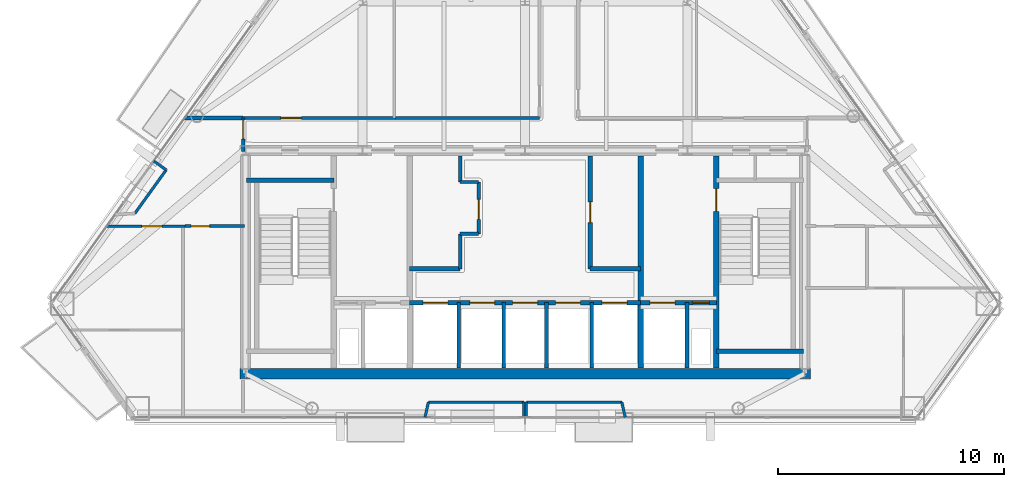
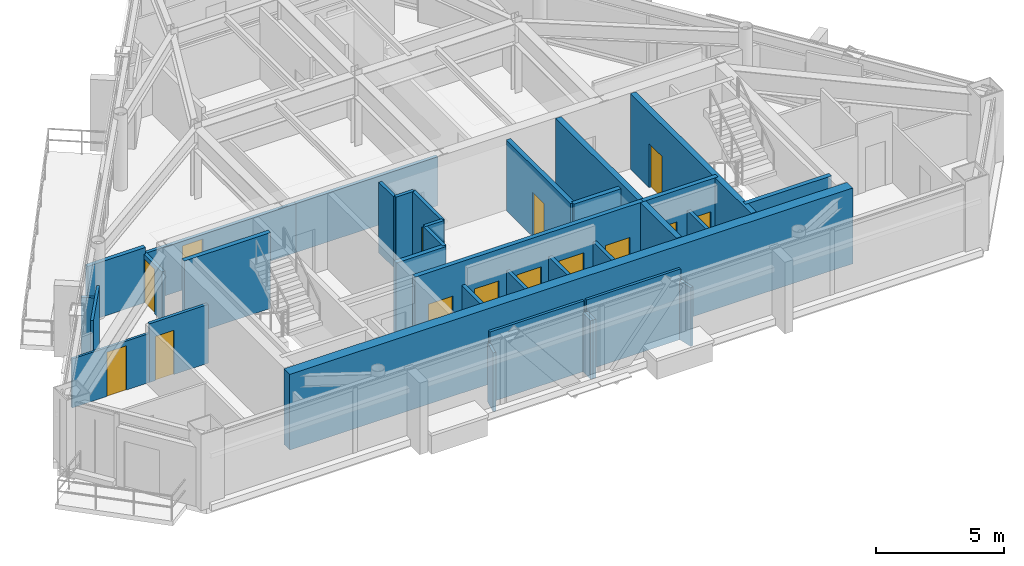
# One storey, part 8 of 12: 34 walls, 14 doors, 14 openings.
"""IFC4 building model written with IfcOpenShell, lengths in metres."""

from ifc_helpers import new_model, si_unit, direction, frame, frame_2d, origin, place, context, subcontext, project, spatial, rectangle, extrude, material, layer, layer_set, type_object, element, fill, save


model = new_model("IFC4")

# Units and contexts
model_context = context("Model", 3, precision=1e-05, world=origin(), true_north=direction((0.0, 1.0)))
body_context = subcontext(model_context, "Body", "Model", "MODEL_VIEW")
ifc_project = project(units=[si_unit("LENGTHUNIT", "METRE"), si_unit("AREAUNIT", "SQUARE_METRE"), si_unit("VOLUMEUNIT", "CUBIC_METRE"), si_unit("PLANEANGLEUNIT", "RADIAN"), si_unit("MASSUNIT", "GRAM", prefix="KILO")], contexts=[model_context])

# Site, building, storey
site_placement = place(None, origin())
site = spatial("IfcSite", under=ifc_project, at=site_placement, CompositionType="ELEMENT")
building_placement = place(site_placement, origin())
building = spatial("IfcBuilding", under=site, at=building_placement, Name="Talgorran Terracotta Tower", CompositionType="ELEMENT")
storey_placement = place(building_placement, frame((0.0, 0.0, 189.300048828125)))
storey = spatial("IfcBuildingStorey", under=building, at=storey_placement, Name="L49", CompositionType="ELEMENT", Elevation=189.300048828125)

# Walls
ifc_material_1 = material(Name="Concrete C50/60", Category="concrete")
ifc_layer_1 = layer(ifc_material_1, 0.199951171875, Name="WT_CORE_200")
ifc_layer_set_1 = layer_set([ifc_layer_1], Name="Concrete C50/60")
wall_type_1 = type_object("IfcWallType", Name="WT_CORE_200", PredefinedType="SOLIDWALL", material=ifc_layer_set_1)
for number, where, z_axis, x_axis, name in (
    (1, (-12.35009765625, -5.52001953125, 0.0), (0.0, 0.0, 1.0), (1.0, 0.0, 0.0), "WL-L49-CW-ST1-N"),
    (2, (8.47998046875, -13.10009765625, 0.0), (0.0, 0.0, 1.0), (1.0, 0.0, 0.0), "WL-L49-CW-ST2-S"),
):
    element("IfcWall", number, at=place(storey_placement, frame(where, z_axis=z_axis, x_axis=x_axis)), inside=storey, type_object=wall_type_1, Name=name, PredefinedType="SOLIDWALL", context=body_context, shape_type="SweptSolid", body=[
        extrude(rectangle(XDim=3.8701171875, YDim=0.199951171875, at=frame_2d((1.93505859375, 0.0))), origin(), (0.0, 0.0, 1.0), 3.599853515625),
    ])

# Wall, openings, doors
wall_1_placement = place(storey_placement, frame((-5.1201171875, -10.949951171875, 0.0), z_axis=(0.0, 0.0, 1.0), x_axis=(1.0, 0.0, 0.0)))
wall_1 = element("IfcWall", 3, at=wall_1_placement, inside=storey, type_object=wall_type_1, Name="WL-L49-CW-H-SBC", PredefinedType="SOLIDWALL", context=body_context, shape_type="SweptSolid", body=[
    extrude(rectangle(XDim=10.240234375, YDim=0.199951171875, at=frame_2d((5.1201171875, 0.0))), origin(), (0.0, 0.0, 1.0), 3.599853515625),
])
opening_1_placement = place(wall_1_placement, frame((0.60009765625, 0.0, 0.0)))
opening_1 = element("IfcOpeningElement", 4, at=opening_1_placement, cuts=wall_1, Name="Opening LD-OB1", PredefinedType="OPENING", context=body_context, shape_type="SweptSolid", body=[
    extrude(rectangle(XDim=1.10609765625, YDim=2.10409765625, at=frame_2d((0.550048828125, 1.052001953125))), frame((0.0, 0.10986328125, 0.0), z_axis=(0.0, -1.0, 0.0), x_axis=(1.0, 0.0, 0.0)), (0.0, 0.0, 1.0), 0.219970703125),
])
opening_2_placement = place(wall_1_placement, frame((2.669921875, 0.0, 0.0)))
opening_2 = element("IfcOpeningElement", 5, at=opening_2_placement, cuts=wall_1, Name="Opening LD-PLH1", PredefinedType="OPENING", context=body_context, shape_type="SweptSolid", body=[
    extrude(rectangle(XDim=1.10609765625, YDim=2.10409765625, at=frame_2d((0.550048828125, 1.052001953125))), frame((0.0, 0.10986328125, 0.0), z_axis=(0.0, -1.0, 0.0), x_axis=(1.0, 0.0, 0.0)), (0.0, 0.0, 1.0), 0.219970703125),
])
opening_3_placement = place(wall_1_placement, frame((4.570068359375, 0.0, 0.0)))
opening_3 = element("IfcOpeningElement", 6, at=opening_3_placement, cuts=wall_1, Name="Opening LD-PLH2", PredefinedType="OPENING", context=body_context, shape_type="SweptSolid", body=[
    extrude(rectangle(XDim=1.10609765625, YDim=2.10409765625, at=frame_2d((0.550048828125, 1.052001953125))), frame((0.0, 0.10986328125, 0.0), z_axis=(0.0, -1.0, 0.0), x_axis=(1.0, 0.0, 0.0)), (0.0, 0.0, 1.0), 0.219970703125),
])
opening_4_placement = place(wall_1_placement, frame((6.469970703125, 0.0, 0.0)))
opening_4 = element("IfcOpeningElement", 7, at=opening_4_placement, cuts=wall_1, Name="Opening LD-PLH3", PredefinedType="OPENING", context=body_context, shape_type="SweptSolid", body=[
    extrude(rectangle(XDim=1.10609765625, YDim=2.10409765625, at=frame_2d((0.550048828125, 1.052001953125))), frame((0.0, 0.10986328125, 0.0), z_axis=(0.0, -1.0, 0.0), x_axis=(1.0, 0.0, 0.0)), (0.0, 0.0, 1.0), 0.219970703125),
])
opening_5_placement = place(wall_1_placement, frame((8.5400390625, 0.0, 0.0)))
opening_5 = element("IfcOpeningElement", 8, at=opening_5_placement, cuts=wall_1, Name="Opening LD-SVL1", PredefinedType="OPENING", context=body_context, shape_type="SweptSolid", body=[
    extrude(rectangle(XDim=1.10609765625, YDim=2.10409765625, at=frame_2d((0.550048828125, 1.052001953125))), frame((0.0, 0.10986328125, 0.0), z_axis=(0.0, -1.0, 0.0), x_axis=(1.0, 0.0, 0.0)), (0.0, 0.0, 1.0), 0.219970703125),
])
ifc_material_2 = material(Name="Brushed Stainless Steel Grade 304", Category="steel")
door_type_1 = type_object("IfcDoorType", Name="DT_LIFT_LD1100", OperationType="DOUBLE_DOOR_SLIDING", PredefinedType="DOOR", material=ifc_material_2)
door_1_placement = place(opening_1_placement, origin())
door_1 = element("IfcDoor", 9, at=door_1_placement, inside=storey, type_object=door_type_1, Name="L49 Lift Landing Door LD-OB1", OperationType="DOUBLE_DOOR_SLIDING", OverallHeight=2.10009765625, OverallWidth=1.10009765625, PredefinedType="DOOR", context=body_context, shape_type="SweptSolid", body=[
    extrude(rectangle(XDim=1.10009765625, YDim=2.10009765625, at=frame_2d((0.550048828125, 1.050048828125))), frame((0.0, 0.02490234375, 0.0), z_axis=(0.0, -1.0, 0.0), x_axis=(1.0, 0.0, 0.0)), (0.0, 0.0, 1.0), 0.050048828125),
])
fill(opening_1, door_1)
door_2_placement = place(opening_2_placement, origin())
door_2 = element("IfcDoor", 10, at=door_2_placement, inside=storey, type_object=door_type_1, Name="L49 Lift Landing Door LD-PLH1", OperationType="DOUBLE_DOOR_SLIDING", OverallHeight=2.10009765625, OverallWidth=1.10009765625, PredefinedType="DOOR", context=body_context, shape_type="SweptSolid", body=[
    extrude(rectangle(XDim=1.10009765625, YDim=2.10009765625, at=frame_2d((0.550048828125, 1.050048828125))), frame((0.0, 0.02490234375, 0.0), z_axis=(0.0, -1.0, 0.0), x_axis=(1.0, 0.0, 0.0)), (0.0, 0.0, 1.0), 0.050048828125),
])
fill(opening_2, door_2)
door_3_placement = place(opening_3_placement, origin())
door_3 = element("IfcDoor", 11, at=door_3_placement, inside=storey, type_object=door_type_1, Name="L49 Lift Landing Door LD-PLH2", OperationType="DOUBLE_DOOR_SLIDING", OverallHeight=2.10009765625, OverallWidth=1.10009765625, PredefinedType="DOOR", context=body_context, shape_type="SweptSolid", body=[
    extrude(rectangle(XDim=1.10009765625, YDim=2.10009765625, at=frame_2d((0.550048828125, 1.050048828125))), frame((0.0, 0.02490234375, 0.0), z_axis=(0.0, -1.0, 0.0), x_axis=(1.0, 0.0, 0.0)), (0.0, 0.0, 1.0), 0.050048828125),
])
fill(opening_3, door_3)
door_4_placement = place(opening_4_placement, origin())
door_4 = element("IfcDoor", 12, at=door_4_placement, inside=storey, type_object=door_type_1, Name="L49 Lift Landing Door LD-PLH3", OperationType="DOUBLE_DOOR_SLIDING", OverallHeight=2.10009765625, OverallWidth=1.10009765625, PredefinedType="DOOR", context=body_context, shape_type="SweptSolid", body=[
    extrude(rectangle(XDim=1.10009765625, YDim=2.10009765625, at=frame_2d((0.550048828125, 1.050048828125))), frame((0.0, 0.02490234375, 0.0), z_axis=(0.0, -1.0, 0.0), x_axis=(1.0, 0.0, 0.0)), (0.0, 0.0, 1.0), 0.050048828125),
])
fill(opening_4, door_4)
door_5_placement = place(opening_5_placement, origin())
door_5 = element("IfcDoor", 13, at=door_5_placement, inside=storey, type_object=door_type_1, Name="L49 Lift Landing Door LD-SVL1", OperationType="DOUBLE_DOOR_SLIDING", OverallHeight=2.10009765625, OverallWidth=1.10009765625, PredefinedType="DOOR", context=body_context, shape_type="SweptSolid", body=[
    extrude(rectangle(XDim=1.10009765625, YDim=2.10009765625, at=frame_2d((0.550048828125, 1.050048828125))), frame((0.0, 0.02490234375, 0.0), z_axis=(0.0, -1.0, 0.0), x_axis=(1.0, 0.0, 0.0)), (0.0, 0.0, 1.0), 0.050048828125),
])
fill(opening_5, door_5)

wall_2_placement = place(storey_placement, frame((5.1201171875, -10.949951171875, 0.0), z_axis=(0.0, 0.0, 1.0), x_axis=(1.0, 0.0, 0.0)))
wall_2 = element("IfcWall", 14, at=wall_2_placement, inside=storey, type_object=wall_type_1, Name="WL-L49-CW-H-SBE", PredefinedType="SOLIDWALL", context=body_context, shape_type="SweptSolid", body=[
    extrude(rectangle(XDim=3.35986328125, YDim=0.199951171875, at=frame_2d((1.679931640625, 0.0))), origin(), (0.0, 0.0, 1.0), 3.599853515625),
])
opening_6_placement = place(wall_2_placement, frame((0.419921875, 0.0, 0.0)))
opening_6 = element("IfcOpeningElement", 15, at=opening_6_placement, cuts=wall_2, Name="Opening LD-FFL2", PredefinedType="OPENING", context=body_context, shape_type="SweptSolid", body=[
    extrude(rectangle(XDim=1.10609765625, YDim=2.10409765625, at=frame_2d((0.550048828125, 1.052001953125))), frame((0.0, 0.10986328125, 0.0), z_axis=(0.0, -1.0, 0.0), x_axis=(1.0, 0.0, 0.0)), (0.0, 0.0, 1.0), 0.219970703125),
])
opening_7_placement = place(wall_2_placement, frame((2.300048828125, 0.0, 0.0)))
opening_7 = element("IfcOpeningElement", 16, at=opening_7_placement, cuts=wall_2, Name="Opening DR-RSE", PredefinedType="OPENING", context=body_context, shape_type="SweptSolid", body=[
    extrude(rectangle(XDim=0.756, YDim=2.054048828125, at=frame_2d((0.375, 1.027099609375))), frame((0.0, 0.10986328125, 0.0), z_axis=(0.0, -1.0, 0.0), x_axis=(1.0, 0.0, 0.0)), (0.0, 0.0, 1.0), 0.219970703125),
])
door_6_placement = place(opening_6_placement, origin())
door_6 = element("IfcDoor", 17, at=door_6_placement, inside=storey, type_object=door_type_1, Name="L49 Lift Landing Door LD-FFL2", OperationType="DOUBLE_DOOR_SLIDING", OverallHeight=2.10009765625, OverallWidth=1.10009765625, PredefinedType="DOOR", context=body_context, shape_type="SweptSolid", body=[
    extrude(rectangle(XDim=1.10009765625, YDim=2.10009765625, at=frame_2d((0.550048828125, 1.050048828125))), frame((0.0, 0.02490234375, 0.0), z_axis=(0.0, -1.0, 0.0), x_axis=(1.0, 0.0, 0.0)), (0.0, 0.0, 1.0), 0.050048828125),
])
fill(opening_6, door_6)
ifc_material_3 = material(Name="Fire-Rated Pressed Steel", Category="steel")
door_type_2 = type_object("IfcDoorType", Name="DT_RISER_750", OperationType="NOTDEFINED", PredefinedType="DOOR", material=ifc_material_3)
door_7_placement = place(opening_7_placement, origin())
door_7 = element("IfcDoor", 18, at=door_7_placement, inside=storey, type_object=door_type_2, Name="DR-RSE", OperationType="SINGLE_SWING_RIGHT", OverallHeight=2.050048828125, OverallWidth=0.75, PredefinedType="DOOR", context=body_context, shape_type="SweptSolid", body=[
    extrude(rectangle(XDim=0.75, YDim=2.050048828125, at=frame_2d((0.375, 1.02490234375))), frame((0.0, 0.02490234375, 0.0), z_axis=(0.0, -1.0, 0.0), x_axis=(1.0, 0.0, 0.0)), (0.0, 0.0, 1.0), 0.050048828125),
])
fill(opening_7, door_7)

# Wall
wall_3_placement = place(storey_placement, frame((-5.1201171875, -9.449951171875, 0.0), z_axis=(0.0, 0.0, 1.0), x_axis=(1.0, 0.0, 0.0)))
element("IfcWall", 19, at=wall_3_placement, inside=storey, type_object=wall_type_1, Name="WL-L49-CW-H-W4", PredefinedType="SOLIDWALL", context=body_context, shape_type="SweptSolid", body=[
    extrude(rectangle(XDim=2.240234375, YDim=0.199951171875, at=frame_2d((1.1201171875, 0.0))), origin(), (0.0, 0.0, 1.0), 3.349853515625),
])

# Wall, opening, door
wall_4_placement = place(storey_placement, frame((2.8798828125, -9.449951171875, 0.0), z_axis=(0.0, 0.0, 1.0), x_axis=(0.0, 1.0, 0.0)))
wall_4 = element("IfcWall", 20, at=wall_4_placement, inside=storey, type_object=wall_type_1, Name="WL-L49-CW-V-E3", PredefinedType="SOLIDWALL", context=body_context, shape_type="SweptSolid", body=[
    extrude(rectangle(XDim=5.0, YDim=0.199951171875, at=frame_2d((2.5, 0.0))), origin(), (0.0, 0.0, 1.0), 3.349853515625),
])
opening_8_placement = place(wall_4_placement, frame((2.050048828125, 0.0, 0.0)))
opening_8 = element("IfcOpeningElement", 21, at=opening_8_placement, cuts=wall_4, Name="Opening DR-FRPLM-A", PredefinedType="OPENING", context=body_context, shape_type="SweptSolid", body=[
    extrude(rectangle(XDim=0.925921875, YDim=2.10409765625, at=frame_2d((0.4599609375, 1.052001953125))), frame((0.0, 0.10986328125, 0.0), z_axis=(0.0, -1.0, 0.0), x_axis=(1.0, 0.0, 0.0)), (0.0, 0.0, 1.0), 0.219970703125),
])
ifc_material_4 = material(Name="Solid-Core Painted Timber", Category="wood")
door_type_3 = type_object("IfcDoorType", Name="DT_INT_920", OperationType="NOTDEFINED", PredefinedType="DOOR", material=ifc_material_4)
door_8_placement = place(opening_8_placement, origin())
door_8 = element("IfcDoor", 22, at=door_8_placement, inside=storey, type_object=door_type_3, Name="DR-FRPLM-A", OperationType="SINGLE_SWING_RIGHT", OverallHeight=2.10009765625, OverallWidth=0.919921875, PredefinedType="DOOR", context=body_context, shape_type="SweptSolid", body=[
    extrude(rectangle(XDim=0.919921875, YDim=2.10009765625, at=frame_2d((0.4599609375, 1.050048828125))), frame((0.0, 0.02490234375, 0.0), z_axis=(0.0, -1.0, 0.0), x_axis=(1.0, 0.0, 0.0)), (0.0, 0.0, 1.0), 0.050048828125),
])
fill(opening_8, door_8)

# Wall
wall_5_placement = place(storey_placement, frame((2.8798828125, -9.449951171875, 0.0), z_axis=(0.0, 0.0, 1.0), x_axis=(1.0, 0.0, 0.0)))
element("IfcWall", 23, at=wall_5_placement, inside=storey, type_object=wall_type_1, Name="WL-L49-CW-H-E4", PredefinedType="SOLIDWALL", context=body_context, shape_type="SweptSolid", body=[
    extrude(rectangle(XDim=2.240234375, YDim=0.199951171875, at=frame_2d((1.1201171875, 0.0))), origin(), (0.0, 0.0, 1.0), 3.349853515625),
])

# Wall, opening, door
ifc_layer_2 = layer(ifc_material_1, 0.25, Name="WT_CORE_250")
ifc_layer_set_2 = layer_set([ifc_layer_2], Name="Concrete C50/60")
wall_type_2 = type_object("IfcWallType", Name="WT_CORE_250", PredefinedType="SHEAR", material=ifc_layer_set_2)
wall_6_placement = place(storey_placement, frame((8.47998046875, -13.85009765625, 0.0), z_axis=(0.0, 0.0, 1.0), x_axis=(0.0, 1.0, 0.0)))
wall_6 = element("IfcWall", 24, at=wall_6_placement, inside=storey, type_object=wall_type_2, Name="WL-L49-CW-V-E1", PredefinedType="SHEAR", context=body_context, shape_type="SweptSolid", body=[
    extrude(rectangle(XDim=9.400146484375, YDim=0.25, at=frame_2d((4.7001953125, 0.0))), origin(), (0.0, 0.0, 1.0), 3.599853515625),
])
opening_9_placement = place(wall_6_placement, frame((6.949951171875, 0.0, 0.0)))
opening_9 = element("IfcOpeningElement", 25, at=opening_9_placement, cuts=wall_6, Name="Opening DR-ST02", PredefinedType="OPENING", context=body_context, shape_type="SweptSolid", body=[
    extrude(rectangle(XDim=1.006, YDim=2.10409765625, at=frame_2d((0.5, 1.052001953125))), frame((0.0, 0.135009765625, 0.0), z_axis=(0.0, -1.0, 0.0), x_axis=(1.0, 0.0, 0.0)), (0.0, 0.0, 1.0), 0.27001953125),
])
door_type_4 = type_object("IfcDoorType", Name="DT_FIRE_1000", OperationType="NOTDEFINED", PredefinedType="DOOR", material=ifc_material_3)
door_9_placement = place(opening_9_placement, origin())
door_9 = element("IfcDoor", 26, at=door_9_placement, inside=storey, type_object=door_type_4, Name="DR-ST02", OperationType="SINGLE_SWING_RIGHT", OverallHeight=2.10009765625, OverallWidth=1.0, PredefinedType="DOOR", context=body_context, shape_type="SweptSolid", body=[
    extrude(rectangle(XDim=1.0, YDim=2.10009765625, at=frame_2d((0.5, 1.050048828125))), frame((0.0, 0.02490234375, 0.0), z_axis=(0.0, -1.0, 0.0), x_axis=(1.0, 0.0, 0.0)), (0.0, 0.0, 1.0), 0.050048828125),
])
fill(opening_9, door_9)

# Walls
wall_7_placement = place(storey_placement, frame((5.1201171875, -13.85009765625, 0.0), z_axis=(0.0, 0.0, 1.0), x_axis=(0.0, 1.0, 0.0)))
element("IfcWall", 27, at=wall_7_placement, inside=storey, type_object=wall_type_2, Name="WL-L49-CW-V-E2", PredefinedType="SHEAR", context=body_context, shape_type="SweptSolid", body=[
    extrude(rectangle(XDim=9.400146484375, YDim=0.25, at=frame_2d((4.7001953125, 0.0))), origin(), (0.0, 0.0, 1.0), 3.599853515625),
])
ifc_material_5 = material(Name="Concrete C65/80", Category="concrete")
ifc_layer_3 = layer(ifc_material_5, 0.449951171875, Name="WT_CORE_EXT")
ifc_layer_set_3 = layer_set([ifc_layer_3], Name="Concrete C65/80")
wall_type_3 = type_object("IfcWallType", Name="WT_CORE_EXT", PredefinedType="SHEAR", material=ifc_layer_set_3)
wall_8_placement = place(storey_placement, frame((-12.64990234375, -14.10009765625, 0.0), z_axis=(0.0, 0.0, 1.0), x_axis=(1.0, 0.0, 0.0)))
element("IfcWall", 28, at=wall_8_placement, inside=storey, type_object=wall_type_3, Name="WL-L49-CW-OUT-S", PredefinedType="SHEAR", context=body_context, shape_type="SweptSolid", body=[
    extrude(rectangle(XDim=25.2998046875, YDim=0.449951171875, at=frame_2d((12.64990234375, 0.0))), origin(), (0.0, 0.0, 1.0), 3.599853515625),
])
ifc_material_6 = material(Name="Fire-Rated Steel Stud Plasterboard", Category="steel")
ifc_layer_4 = layer(ifc_material_6, 0.14990234375, Name="WT_FIRE_150")
ifc_layer_set_4 = layer_set([ifc_layer_4], Name="Fire-Rated Steel Stud Plasterboard")
wall_type_4 = type_object("IfcWallType", Name="WT_FIRE_150", PredefinedType="PARTITIONING", material=ifc_layer_set_4)
wall_9_placement = place(storey_placement, frame((-2.8798828125, -9.449951171875, 0.0), z_axis=(0.0, 0.0, 1.0), x_axis=(0.0, 1.0, 0.0)))
element("IfcWall", 29, at=wall_9_placement, inside=storey, type_object=wall_type_4, Name="WL-L49-CW-V-W3A", PredefinedType="PARTITIONING", context=body_context, shape_type="SweptSolid", body=[
    extrude(rectangle(XDim=1.550048828125, YDim=0.14990234375, at=frame_2d((0.77490234375, 0.0))), origin(), (0.0, 0.0, 1.0), 3.349853515625),
])
wall_10_placement = place(storey_placement, frame((-2.8798828125, -7.89990234375, 0.0), z_axis=(0.0, 0.0, 1.0), x_axis=(1.0, 0.0, 0.0)))
element("IfcWall", 30, at=wall_10_placement, inside=storey, type_object=wall_type_4, Name="WL-L49-CW-H-W3B", PredefinedType="PARTITIONING", context=body_context, shape_type="SweptSolid", body=[
    extrude(rectangle(XDim=0.81982421875, YDim=0.14990234375, at=frame_2d((0.409912109375, 0.0))), origin(), (0.0, 0.0, 1.0), 3.349853515625),
])

# Wall, opening, door
wall_11_placement = place(storey_placement, frame((-2.06005859375, -7.89990234375, 0.0), z_axis=(0.0, 0.0, 1.0), x_axis=(0.0, 1.0, 0.0)))
wall_11 = element("IfcWall", 31, at=wall_11_placement, inside=storey, type_object=wall_type_4, Name="WL-L49-CW-V-W3C", PredefinedType="PARTITIONING", context=body_context, shape_type="SweptSolid", body=[
    extrude(rectangle(XDim=2.2998046875, YDim=0.14990234375, at=frame_2d((1.14990234375, 0.0))), origin(), (0.0, 0.0, 1.0), 3.349853515625),
])
opening_10_placement = place(wall_11_placement, frame((0.64990234375, 0.0, 0.0)))
opening_10 = element("IfcOpeningElement", 32, at=opening_10_placement, cuts=wall_11, Name="Opening DR-FRPLL-B", PredefinedType="OPENING", context=body_context, shape_type="SweptSolid", body=[
    extrude(rectangle(XDim=0.8858828125, YDim=2.10409765625, at=frame_2d((0.43994140625, 1.052001953125))), frame((0.0, 0.0849609375, 0.0), z_axis=(0.0, -1.0, 0.0), x_axis=(1.0, 0.0, 0.0)), (0.0, 0.0, 1.0), 0.169921875),
])
door_type_5 = type_object("IfcDoorType", Name="DT_INT_880", OperationType="NOTDEFINED", PredefinedType="DOOR", material=ifc_material_4)
door_10_placement = place(opening_10_placement, origin())
door_10 = element("IfcDoor", 33, at=door_10_placement, inside=storey, type_object=door_type_5, Name="DR-FRPLL-B", OperationType="SINGLE_SWING_LEFT", OverallHeight=2.10009765625, OverallWidth=0.8798828125, PredefinedType="DOOR", context=body_context, shape_type="SweptSolid", body=[
    extrude(rectangle(XDim=0.8798828125, YDim=2.10009765625, at=frame_2d((0.43994140625, 1.050048828125))), frame((0.0, 0.02490234375, 0.0), z_axis=(0.0, -1.0, 0.0), x_axis=(1.0, 0.0, 0.0)), (0.0, 0.0, 1.0), 0.050048828125),
])
fill(opening_10, door_10)

# Walls
wall_12_placement = place(storey_placement, frame((-2.8798828125, -5.60009765625, 0.0), z_axis=(0.0, 0.0, 1.0), x_axis=(1.0, 0.0, 0.0)))
element("IfcWall", 34, at=wall_12_placement, inside=storey, type_object=wall_type_4, Name="WL-L49-CW-H-W3D", PredefinedType="PARTITIONING", context=body_context, shape_type="SweptSolid", body=[
    extrude(rectangle(XDim=0.81982421875, YDim=0.14990234375, at=frame_2d((0.409912109375, 0.0))), origin(), (0.0, 0.0, 1.0), 3.349853515625),
])
wall_13_placement = place(storey_placement, frame((-2.8798828125, -5.60009765625, 0.0), z_axis=(0.0, 0.0, 1.0), x_axis=(0.0, 1.0, 0.0)))
element("IfcWall", 35, at=wall_13_placement, inside=storey, type_object=wall_type_4, Name="WL-L49-CW-V-W3E", PredefinedType="PARTITIONING", context=body_context, shape_type="SweptSolid", body=[
    extrude(rectangle(XDim=1.150146484375, YDim=0.14990234375, at=frame_2d((0.5751953125, 0.0))), origin(), (0.0, 0.0, 1.0), 3.349853515625),
])

# Wall, opening, door
wall_14_placement = place(storey_placement, frame((-12.5, -2.760009765625, 0.0), z_axis=(0.0, 0.0, 1.0), x_axis=(1.0, 0.0, 0.0)))
wall_14 = element("IfcWall", 36, at=wall_14_placement, inside=storey, type_object=wall_type_4, Name="WL-L49-W-L49-R03", PredefinedType="PARTITIONING", context=body_context, shape_type="SweptSolid", body=[
    extrude(rectangle(XDim=6.760009765625, YDim=0.14990234375, at=frame_2d((3.3798828125, 0.0))), origin(), (0.0, 0.0, 1.0), 2.324951171875),
])
opening_11_placement = place(wall_14_placement, frame((1.674560546875, 0.0, 0.0)))
opening_11 = element("IfcOpeningElement", 37, at=opening_11_placement, cuts=wall_14, Name="Opening DR-L49-R09", PredefinedType="OPENING", context=body_context, shape_type="SweptSolid", body=[
    extrude(rectangle(XDim=0.90590234375, YDim=2.10409765625, at=frame_2d((0.449951171875, 1.052001953125))), frame((0.0, 0.0849609375, 0.0), z_axis=(0.0, -1.0, 0.0), x_axis=(1.0, 0.0, 0.0)), (0.0, 0.0, 1.0), 0.169921875),
])
ifc_material_7 = material(Name="Fire-Rated Timber Core", Category="wood")
door_type_6 = type_object("IfcDoorType", Name="DT_FIRE_900", OperationType="NOTDEFINED", PredefinedType="DOOR", material=ifc_material_7)
door_11_placement = place(opening_11_placement, origin())
door_11 = element("IfcDoor", 38, at=door_11_placement, inside=storey, type_object=door_type_6, Name="DR-L49-R09", OperationType="SINGLE_SWING_LEFT", OverallHeight=2.10009765625, OverallWidth=0.89990234375, PredefinedType="DOOR", context=body_context, shape_type="SweptSolid", body=[
    extrude(rectangle(XDim=0.89990234375, YDim=2.10009765625, at=frame_2d((0.449951171875, 1.050048828125))), frame((0.0, 0.02490234375, 0.0), z_axis=(0.0, -1.0, 0.0), x_axis=(1.0, 0.0, 0.0)), (0.0, 0.0, 1.0), 0.050048828125),
])
fill(opening_11, door_11)

# Wall
wall_15_placement = place(storey_placement, frame((-5.738037109375, -2.760009765625, 0.0), z_axis=(0.0, 0.0, 1.0), x_axis=(1.0, 0.0, 0.0)))
element("IfcWall", 39, at=wall_15_placement, inside=storey, type_object=wall_type_4, Name="WL-L49-W-L49-R04", PredefinedType="PARTITIONING", context=body_context, shape_type="SweptSolid", body=[
    extrude(rectangle(XDim=6.3779296875, YDim=0.14990234375, at=frame_2d((3.18896484375, 0.0))), origin(), (0.0, 0.0, 1.0), 2.324951171875),
])

# Wall, opening, door
wall_16_placement = place(storey_placement, frame((-12.5, -4.239990234375, 0.0), z_axis=(0.0, 0.0, 1.0), x_axis=(0.0, 1.0, 0.0)))
wall_16 = element("IfcWall", 40, at=wall_16_placement, inside=storey, type_object=wall_type_4, Name="WL-L49-W-L49-R01", PredefinedType="PARTITIONING", context=body_context, shape_type="SweptSolid", body=[
    extrude(rectangle(XDim=1.47998046875, YDim=0.14990234375, at=frame_2d((0.739990234375, 0.0))), origin(), (0.0, 0.0, 1.0), 2.324951171875),
])
opening_12_placement = place(wall_16_placement, frame((0.56005859375, 0.0, 0.0)))
opening_12 = element("IfcOpeningElement", 41, at=opening_12_placement, cuts=wall_16, Name="Opening DR-L49-R01", PredefinedType="OPENING", context=body_context, shape_type="SweptSolid", body=[
    extrude(rectangle(XDim=0.826068359375, YDim=2.10409765625, at=frame_2d((0.41015625, 1.052001953125))), frame((0.0, 0.0849609375, 0.0), z_axis=(0.0, -1.0, 0.0), x_axis=(1.0, 0.0, 0.0)), (0.0, 0.0, 1.0), 0.169921875),
])
ifc_material_8 = material(Name="Moisture-Resistant Solid Timber", Category="wood")
door_type_7 = type_object("IfcDoorType", Name="DT_INT_820", OperationType="NOTDEFINED", PredefinedType="DOOR", material=ifc_material_8)
door_12_placement = place(opening_12_placement, origin())
door_12 = element("IfcDoor", 42, at=door_12_placement, inside=storey, type_object=door_type_7, Name="DR-L49-R01", OperationType="SINGLE_SWING_LEFT", OverallHeight=2.10009765625, OverallWidth=0.820068359375, PredefinedType="DOOR", context=body_context, shape_type="SweptSolid", body=[
    extrude(rectangle(XDim=0.820068359375, YDim=2.10009765625, at=frame_2d((0.41015625, 1.050048828125))), frame((0.0, 0.02490234375, 0.0), z_axis=(0.0, -1.0, 0.0), x_axis=(1.0, 0.0, 0.0)), (0.0, 0.0, 1.0), 0.050048828125),
])
fill(opening_12, door_12)

# Wall
ifc_material_9 = material(Name="Acoustic Stud and Plasterboard")
ifc_layer_5 = layer(ifc_material_9, 0.179931640625, Name="WT_PARTY_200")
ifc_layer_set_5 = layer_set([ifc_layer_5], Name="Acoustic Stud and Plasterboard")
wall_type_5 = type_object("IfcWallType", Name="WT_PARTY_200", PredefinedType="PARTITIONING", material=ifc_layer_set_5)
wall_17_placement = place(storey_placement, frame((-15.0947265625, -2.760009765625, 0.0), z_axis=(0.0, 0.0, 1.0), x_axis=(1.0, 0.0, 0.0)))
element("IfcWall", 43, at=wall_17_placement, inside=storey, type_object=wall_type_5, Name="WL-L49-W-L49-R14", PredefinedType="PARTITIONING", context=body_context, shape_type="SweptSolid", body=[
    extrude(rectangle(XDim=2.5947265625, YDim=0.179931640625, at=frame_2d((1.29736328125, 0.0))), origin(), (0.0, 0.0, 1.0), 2.625),
])

# Wall, opening, door
ifc_material_10 = material(Name="Lightweight Steel Stud Partition", Category="steel")
ifc_layer_6 = layer(ifc_material_10, 0.10498046875, Name="WT_PART_110")
ifc_layer_set_6 = layer_set([ifc_layer_6], Name="Lightweight Steel Stud Partition")
wall_type_6 = type_object("IfcWallType", Name="WT_PART_110", PredefinedType="PARTITIONING", material=ifc_layer_set_6)
wall_18_placement = place(storey_placement, frame((-18.5478515625, -7.56005859375, 0.0), z_axis=(0.0, 0.0, 1.0), x_axis=(1.0, 0.0, 0.0)))
wall_18 = element("IfcWall", 44, at=wall_18_placement, inside=storey, type_object=wall_type_6, Name="WL-L49-W-L49-R13", PredefinedType="PARTITIONING", context=body_context, shape_type="SweptSolid", body=[
    extrude(rectangle(XDim=3.4677734375, YDim=0.10498046875, at=frame_2d((1.73388671875, 0.0))), origin(), (0.0, 0.0, 1.0), 2.324951171875),
])
opening_13_placement = place(wall_18_placement, frame((1.56005859375, 0.0, 0.0)))
opening_13 = element("IfcOpeningElement", 45, at=opening_13_placement, cuts=wall_18, Name="Opening DR-L49-R17", PredefinedType="OPENING", context=body_context, shape_type="SweptSolid", body=[
    extrude(rectangle(XDim=0.8858828125, YDim=2.10409765625, at=frame_2d((0.43994140625, 1.052001953125))), frame((0.0, 0.0625, 0.0), z_axis=(0.0, -1.0, 0.0), x_axis=(1.0, 0.0, 0.0)), (0.0, 0.0, 1.0), 0.125),
])
door_13_placement = place(opening_13_placement, origin())
door_13 = element("IfcDoor", 46, at=door_13_placement, inside=storey, type_object=door_type_5, Name="DR-L49-R17", OperationType="SINGLE_SWING_LEFT", OverallHeight=2.10009765625, OverallWidth=0.8798828125, PredefinedType="DOOR", context=body_context, shape_type="SweptSolid", body=[
    extrude(rectangle(XDim=0.8798828125, YDim=2.10009765625, at=frame_2d((0.43994140625, 1.050048828125))), frame((0.0, 0.02490234375, 0.0), z_axis=(0.0, -1.0, 0.0), x_axis=(1.0, 0.0, 0.0)), (0.0, 0.0, 1.0), 0.050048828125),
])
fill(opening_13, door_13)

# Walls
ifc_material_11 = material(Name="Insulated Steel Stud Plasterboard", Category="steel")
ifc_layer_7 = layer(ifc_material_11, 0.1201171875, Name="WT_PART_120")
ifc_layer_set_7 = layer_set([ifc_layer_7], Name="Insulated Steel Stud Plasterboard")
wall_type_7 = type_object("IfcWallType", Name="WT_PART_120", PredefinedType="PARTITIONING", material=ifc_layer_set_7)
for number, where, z_axis, x_axis, name in (
    (47, (-4.28662109375, -15.361083984375, 0.0), (0.0, 0.0, 1.0), (1.0, 0.0, 0.0), "WL-L49-BW-L49-01"),
    (48, (0.0546875, -15.361083984375, 0.0), (0.0, 0.0, 1.0), (1.0, 0.0, 0.0), "WL-L49-BW-L49-06"),
):
    element("IfcWall", number, at=place(storey_placement, frame(where, z_axis=z_axis, x_axis=x_axis)), inside=storey, type_object=wall_type_7, Name=name, PredefinedType="PARTITIONING", context=body_context, shape_type="SweptSolid", body=[
        extrude(rectangle(XDim=4.23193359375, YDim=0.1201171875, at=frame_2d((2.115966796875, 0.0))), origin(), (0.0, 0.0, 1.0), 3.349853515625),
    ])
wall_19_placement = place(storey_placement, frame((-15.914794921875, -5.064453125, 0.0), z_axis=(0.0, 0.0, 1.0), x_axis=(-0.58403154631, -0.811730960919, 0.0)))
element("IfcWall", 49, at=wall_19_placement, inside=storey, type_object=wall_type_7, Name="WL-L49-BW-L49-08", PredefinedType="PARTITIONING", context=body_context, shape_type="SweptSolid", body=[
    extrude(rectangle(XDim=2.378173828125, YDim=0.1201171875, at=frame_2d((1.18896484375, 0.0))), origin(), (0.0, 0.0, 1.0), 3.349853515625),
])
for number, where, z_axis, x_axis, name in (
    (50, (-4.4384765625, -16.031005859375, 0.0), (0.0, 0.0, 1.0), (0.221068045214, 0.97525838596, 0.0), "WL-L49-BW-L49-03"),
    (51, (4.28662109375, -15.361083984375, 0.0), (0.0, 0.0, 1.0), (0.221068045214, -0.97525838596, 0.0), "WL-L49-BW-L49-04"),
):
    element("IfcWall", number, at=place(storey_placement, frame(where, z_axis=z_axis, x_axis=x_axis)), inside=storey, type_object=wall_type_7, Name=name, PredefinedType="PARTITIONING", context=body_context, shape_type="SweptSolid", body=[
        extrude(rectangle(XDim=0.68701171875, YDim=0.1201171875, at=frame_2d((0.343505859375, 0.0))), origin(), (0.0, 0.0, 1.0), 2.7919921875),
    ])
for number, where, z_axis, x_axis, name in (
    (52, (-0.0546875, -15.361083984375, 0.0), (0.0, 0.0, 1.0), (0.0, -1.0, 0.0), "WL-L49-BW-L49-02"),
    (53, (0.0546875, -16.031005859375, 0.0), (0.0, 0.0, 1.0), (0.0, 1.0, 0.0), "WL-L49-BW-L49-05"),
    (54, (-16.458740234375, -4.67333984375, 0.0), (0.0, 0.0, 1.0), (0.811907418628, -0.583786213932, 0.0), "WL-L49-BW-L49-07"),
):
    element("IfcWall", number, at=place(storey_placement, frame(where, z_axis=z_axis, x_axis=x_axis)), inside=storey, type_object=wall_type_7, Name=name, PredefinedType="PARTITIONING", context=body_context, shape_type="SweptSolid", body=[
        extrude(rectangle(XDim=0.669921875, YDim=0.1201171875, at=frame_2d((0.3349609375, 0.0))), origin(), (0.0, 0.0, 1.0), 2.7919921875),
    ])

# Wall, opening, door
ifc_material_12 = material(Name="Moisture-Resistant Stud Wall")
ifc_layer_8 = layer(ifc_material_12, 0.135009765625, Name="WT_PART_135")
ifc_layer_set_8 = layer_set([ifc_layer_8], Name="Moisture-Resistant Stud Wall")
wall_type_8 = type_object("IfcWallType", Name="WT_PART_135", PredefinedType="PARTITIONING", material=ifc_layer_set_8)
wall_20_placement = place(storey_placement, frame((-15.077880859375, -7.56005859375, 0.0), z_axis=(0.0, 0.0, 1.0), x_axis=(1.0, 0.0, 0.0)))
wall_20 = element("IfcWall", 55, at=wall_20_placement, inside=storey, type_object=wall_type_8, Name="WL-L49-W-L49-R12", PredefinedType="PARTITIONING", context=body_context, shape_type="SweptSolid", body=[
    extrude(rectangle(XDim=2.637939453125, YDim=0.135009765625, at=frame_2d((1.31884765625, 0.0))), origin(), (0.0, 0.0, 1.0), 2.7919921875),
])
opening_14_placement = place(wall_20_placement, frame((0.2705078125, 0.0, 0.0)))
opening_14 = element("IfcOpeningElement", 56, at=opening_14_placement, cuts=wall_20, Name="Opening DR-L49-R02", PredefinedType="OPENING", context=body_context, shape_type="SweptSolid", body=[
    extrude(rectangle(XDim=0.826068359375, YDim=2.10409765625, at=frame_2d((0.41015625, 1.052001953125))), frame((0.0, 0.07763671875, 0.0), z_axis=(0.0, -1.0, 0.0), x_axis=(1.0, 0.0, 0.0)), (0.0, 0.0, 1.0), 0.155029296875),
])
door_14_placement = place(opening_14_placement, origin())
door_14 = element("IfcDoor", 57, at=door_14_placement, inside=storey, type_object=door_type_7, Name="DR-L49-R02", OperationType="SINGLE_SWING_RIGHT", OverallHeight=2.10009765625, OverallWidth=0.820068359375, PredefinedType="DOOR", context=body_context, shape_type="SweptSolid", body=[
    extrude(rectangle(XDim=0.820068359375, YDim=2.10009765625, at=frame_2d((0.41015625, 1.050048828125))), frame((0.0, 0.02490234375, 0.0), z_axis=(0.0, -1.0, 0.0), x_axis=(1.0, 0.0, 0.0)), (0.0, 0.0, 1.0), 0.050048828125),
])
fill(opening_14, door_14)

# Walls
ifc_material_13 = material(Name="Fire-Rated Shaftwall")
ifc_layer_9 = layer(ifc_material_13, 0.159912109375, Name="WT_PART_150")
ifc_layer_set_9 = layer_set([ifc_layer_9], Name="Fire-Rated Shaftwall")
wall_type_9 = type_object("IfcWallType", Name="WT_PART_150", PredefinedType="PARTITIONING", material=ifc_layer_set_9)
for number, where, z_axis, x_axis, name in (
    (58, (7.179931640625, -13.85009765625, 0.0), (0.0, 0.0, 1.0), (0.0, 1.0, 0.0), "WL-L49-CW-RSE"),
    (59, (-2.949951171875, -13.85009765625, 0.0), (0.0, 0.0, 1.0), (0.0, 1.0, 0.0), "WL-L49-CW-OB-E"),
    (60, (2.949951171875, -13.85009765625, 0.0), (0.0, 0.0, 1.0), (0.0, 1.0, 0.0), "WL-L49-CW-SV-W"),
    (61, (-0.949951171875, -13.85009765625, 0.0), (0.0, 0.0, 1.0), (0.0, 1.0, 0.0), "WL-L49-CW-PLH-D1"),
    (62, (0.949951171875, -13.85009765625, 0.0), (0.0, 0.0, 1.0), (0.0, 1.0, 0.0), "WL-L49-CW-PLH-D2"),
):
    element("IfcWall", number, at=place(storey_placement, frame(where, z_axis=z_axis, x_axis=x_axis)), inside=storey, type_object=wall_type_9, Name=name, PredefinedType="PARTITIONING", context=body_context, shape_type="SweptSolid", body=[
        extrude(rectangle(XDim=2.900146484375, YDim=0.159912109375, at=frame_2d((1.4501953125, 0.0))), origin(), (0.0, 0.0, 1.0), 2.474853515625),
    ])

save(model, "model.ifc")
